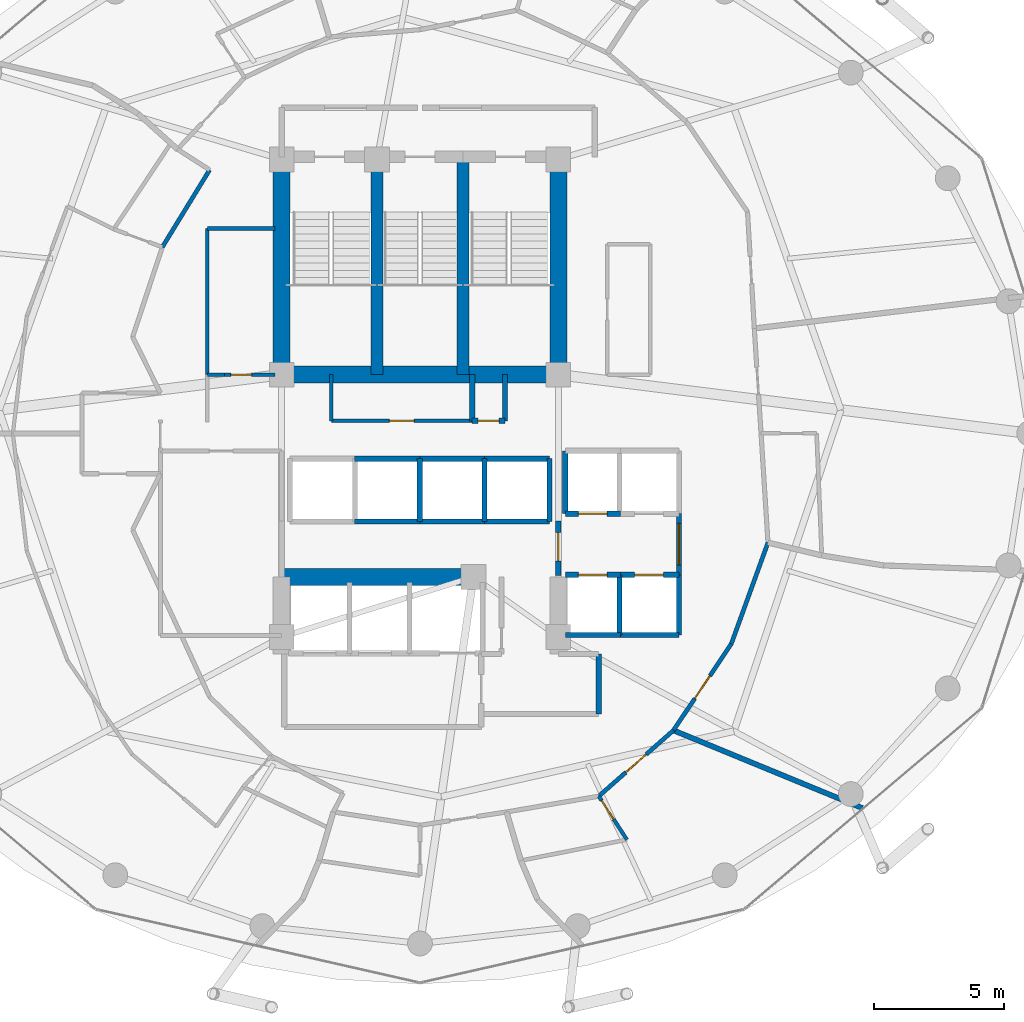
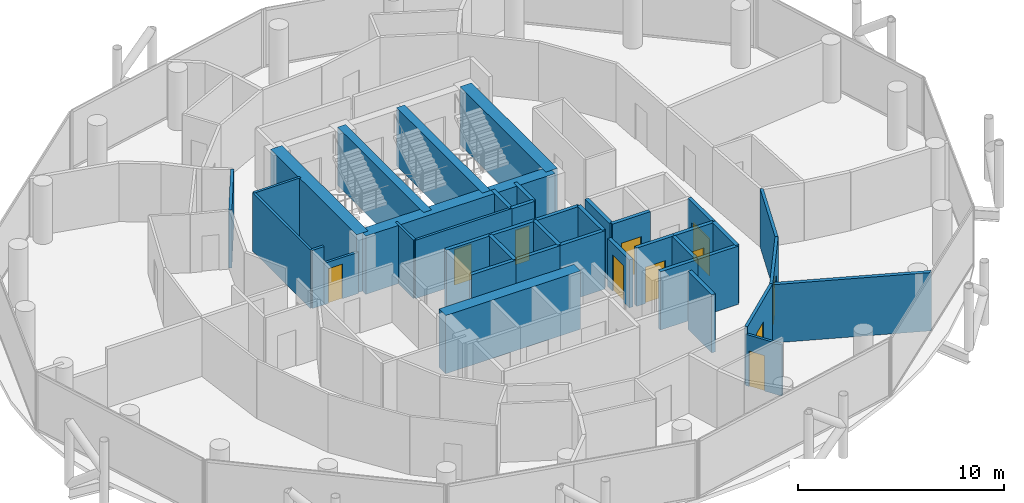
# One storey, part 23 of 26: 41 walls, 11 doors, 11 openings.
"""IFC4 building model written with IfcOpenShell, lengths in metres."""

from ifc_helpers import new_model, si_unit, direction, frame, frame_2d, origin, place, context, subcontext, project, spatial, rectangle, extrude, material, layer, layer_set, type_object, element, fill, save


model = new_model("IFC4")

# Units and contexts
model_context = context("Model", 3, precision=1e-05, world=origin(), true_north=direction((0.0, 1.0)))
body_context = subcontext(model_context, "Body", "Model", "MODEL_VIEW")
ifc_project = project(units=[si_unit("LENGTHUNIT", "METRE"), si_unit("AREAUNIT", "SQUARE_METRE"), si_unit("VOLUMEUNIT", "CUBIC_METRE"), si_unit("PLANEANGLEUNIT", "RADIAN"), si_unit("MASSUNIT", "GRAM", prefix="KILO")], contexts=[model_context])

# Site, building, storey
site_placement = place(None, origin())
site = spatial("IfcSite", under=ifc_project, at=site_placement, CompositionType="ELEMENT")
building_placement = place(site_placement, origin())
building = spatial("IfcBuilding", under=site, at=building_placement, Name="Nuhasar Tower", CompositionType="ELEMENT")
storey_placement = place(building_placement, frame((0.0, 0.0, 125.64990234375)))
storey = spatial("IfcBuildingStorey", under=building, at=storey_placement, Name="L29", CompositionType="ELEMENT", Elevation=125.64990234375)

# Walls
ifc_material_1 = material(Name="Concrete C50/60", Category="concrete")
ifc_layer_1 = layer(ifc_material_1, 0.449951171875)
ifc_layer_set_1 = layer_set([ifc_layer_1], Name="Concrete C50/60")
wall_type_1 = type_object("IfcWallType", Name="WL-CORE-450", PredefinedType="SHEAR", material=ifc_layer_set_1)
for number, where, z_axis, x_axis, name in (
    (1, (37.35009765625, 29.050048828125, 0.0), (0.0, 0.0, 1.0), (0.0, 1.0, 0.0), "L29 Stairwell Shear Wall ST01-E"),
    (2, (40.64990234375, 29.050048828125, 0.0), (0.0, 0.0, 1.0), (0.0, 1.0, 0.0), "L29 Stairwell Shear Wall ST03-E"),
):
    element("IfcWall", number, at=place(storey_placement, frame(where, z_axis=z_axis, x_axis=x_axis)), inside=storey, type_object=wall_type_1, Name=name, PredefinedType="SHEAR", context=body_context, shape_type="SweptSolid", body=[
        extrude(rectangle(XDim=8.349853515625, YDim=0.449951171875, at=frame_2d((4.1748046875, 0.0))), origin(), (0.0, 0.0, 1.0), 3.4501953125),
    ])
ifc_material_2 = material(Name="Concrete C65/80", Category="concrete")
ifc_layer_2 = layer(ifc_material_2, 0.64990234375)
ifc_layer_set_2 = layer_set([ifc_layer_2], Name="Concrete C65/80")
wall_type_2 = type_object("IfcWallType", Name="WL-CORE-650", PredefinedType="SHEAR", material=ifc_layer_set_2)
for number, where, z_axis, x_axis, name in (
    (3, (33.699951171875, 29.050048828125, 0.0), (0.0, 0.0, 1.0), (0.0, 1.0, 0.0), "L29 Core Shear Wall CW-NW CW-650"),
    (4, (44.300048828125, 29.050048828125, 0.0), (0.0, 0.0, 1.0), (0.0, 1.0, 0.0), "L29 Core Shear Wall CW-NE CW-650"),
):
    element("IfcWall", number, at=place(storey_placement, frame(where, z_axis=z_axis, x_axis=x_axis)), inside=storey, type_object=wall_type_2, Name=name, PredefinedType="SHEAR", context=body_context, shape_type="SweptSolid", body=[
        extrude(rectangle(XDim=8.349853515625, YDim=0.64990234375, at=frame_2d((4.1748046875, 0.0))), origin(), (0.0, 0.0, 1.0), 3.4501953125),
    ])
wall_1_placement = place(storey_placement, frame((33.699951171875, 29.050048828125, 0.0), z_axis=(0.0, 0.0, 1.0), x_axis=(1.0, 0.0, 0.0)))
element("IfcWall", 5, at=wall_1_placement, inside=storey, type_object=wall_type_2, Name="L29 Core Shear Wall CW-N1 CW-650", PredefinedType="SHEAR", context=body_context, shape_type="SweptSolid", body=[
    extrude(rectangle(XDim=10.60009765625, YDim=0.64990234375, at=frame_2d((5.300048828125, 0.0))), origin(), (0.0, 0.0, 1.0), 3.4501953125),
])
wall_2_placement = place(storey_placement, frame((33.699951171875, 21.300048828125, 0.0), z_axis=(0.0, 0.0, 1.0), x_axis=(1.0, 0.0, 0.0)))
element("IfcWall", 6, at=wall_2_placement, inside=storey, type_object=wall_type_2, Name="L29 Core Shear Wall CW-S1 CW-650", PredefinedType="SHEAR", context=body_context, shape_type="SweptSolid", body=[
    extrude(rectangle(XDim=7.550048828125, YDim=0.64990234375, at=frame_2d((3.77490234375, 0.0))), origin(), (0.0, 0.0, 1.0), 3.4501953125),
])

# Wall, opening, door
ifc_material_3 = material(Name="Gypsum Board", Category="gypsum")
ifc_layer_3 = layer(ifc_material_3, 0.159912109375)
ifc_layer_set_3 = layer_set([ifc_layer_3], Name="Gypsum Board")
wall_type_3 = type_object("IfcWallType", Name="WL-CORR-160", PredefinedType="PARTITIONING", material=ifc_layer_set_3)
wall_3_placement = place(storey_placement, frame((48.714111328125, 15.41796875, 0.0), z_axis=(0.0, 0.0, 1.0), x_axis=(-0.75014962781, -0.661268127083, 0.0)))
wall_3 = element("IfcWall", 7, at=wall_3_placement, inside=storey, type_object=wall_type_3, Name="L29 Interior Partition CORR-40", PredefinedType="PARTITIONING", context=body_context, shape_type="SweptSolid", body=[
    extrude(rectangle(XDim=3.8154296875, YDim=0.159912109375, at=frame_2d((1.90771484375, 0.0))), origin(), (0.0, 0.0, 1.0), 3.4501953125),
])
opening_1_placement = place(wall_3_placement, frame((1.383056640625, 0.0, 0.0)))
opening_1 = element("IfcOpeningElement", 8, at=opening_1_placement, cuts=wall_3, Name="Opening DU-01", PredefinedType="OPENING", context=body_context, shape_type="SweptSolid", body=[
    extrude(rectangle(XDim=1.050048828125, YDim=2.14990234375, at=frame_2d((0.52490234375, 1.074951171875))), frame((0.0, 0.08984375, 0.0), z_axis=(0.0, -1.0, 0.0), x_axis=(1.0, 0.0, 0.0)), (0.0, 0.0, 1.0), 0.179931640625),
])
ifc_material_4 = material(Name="Timber Oak", Category="wood")
door_type_1 = type_object("IfcDoorType", Name="DR-SUITE-FD60-1050", OperationType="NOTDEFINED", PredefinedType="DOOR", material=ifc_material_4)
door_1_placement = place(opening_1_placement, origin())
door_1 = element("IfcDoor", 9, at=door_1_placement, inside=storey, type_object=door_type_1, Name="L29 Deluxe Junior Suite 02 Entrance Door", OperationType="SINGLE_SWING_LEFT", OverallHeight=2.14990234375, OverallWidth=1.050048828125, PredefinedType="DOOR", context=body_context, shape_type="SweptSolid", body=[
    extrude(rectangle(XDim=1.050048828125, YDim=2.14990234375, at=frame_2d((0.52490234375, 1.074951171875))), frame((0.0, 0.02490234375, 0.0), z_axis=(0.0, -1.0, 0.0), x_axis=(1.0, 0.0, 0.0)), (0.0, 0.0, 1.0), 0.050048828125),
])
fill(opening_1, door_1)

wall_4_placement = place(storey_placement, frame((50.929931640625, 18.72998046875, 0.0), z_axis=(0.0, 0.0, 1.0), x_axis=(-0.556056751682, -0.831144324958, 0.0)))
wall_4 = element("IfcWall", 10, at=wall_4_placement, inside=storey, type_object=wall_type_3, Name="L29 Interior Partition CORR-42", PredefinedType="PARTITIONING", context=body_context, shape_type="SweptSolid", body=[
    extrude(rectangle(XDim=3.98486328125, YDim=0.159912109375, at=frame_2d((1.992431640625, 0.0))), origin(), (0.0, 0.0, 1.0), 3.4501953125),
])
opening_2_placement = place(wall_4_placement, frame((1.467041015625, 0.0, 0.0)))
opening_2 = element("IfcOpeningElement", 11, at=opening_2_placement, cuts=wall_4, Name="Opening DU-01", PredefinedType="OPENING", context=body_context, shape_type="SweptSolid", body=[
    extrude(rectangle(XDim=1.050048828125, YDim=2.14990234375, at=frame_2d((0.52490234375, 1.074951171875))), frame((0.0, 0.08984375, 0.0), z_axis=(0.0, -1.0, 0.0), x_axis=(1.0, 0.0, 0.0)), (0.0, 0.0, 1.0), 0.179931640625),
])
door_2_placement = place(opening_2_placement, origin())
door_2 = element("IfcDoor", 12, at=door_2_placement, inside=storey, type_object=door_type_1, Name="L29 Concierge Study Office Entrance Door", OperationType="SINGLE_SWING_RIGHT", OverallHeight=2.14990234375, OverallWidth=1.050048828125, PredefinedType="DOOR", context=body_context, shape_type="SweptSolid", body=[
    extrude(rectangle(XDim=1.050048828125, YDim=2.14990234375, at=frame_2d((0.52490234375, 1.074951171875))), frame((0.0, 0.02490234375, 0.0), z_axis=(0.0, -1.0, 0.0), x_axis=(1.0, 0.0, 0.0)), (0.0, 0.0, 1.0), 0.050048828125),
])
fill(opening_2, door_2)

# Walls
wall_5_placement = place(storey_placement, frame((50.929931640625, 18.72998046875, 0.0), z_axis=(0.0, 0.0, 1.0), x_axis=(0.34058972089, 0.940212019719, 0.0)))
element("IfcWall", 13, at=wall_5_placement, inside=storey, type_object=wall_type_3, Name="L29 Interior Partition CORR-44", PredefinedType="PARTITIONING", context=body_context, shape_type="SweptSolid", body=[
    extrude(rectangle(XDim=4.131103515625, YDim=0.159912109375, at=frame_2d((2.0654296875, 0.0))), origin(), (0.0, 0.0, 1.0), 3.4501953125),
])
wall_6_placement = place(storey_placement, frame((30.93896484375, 36.89697265625, 0.0), z_axis=(0.0, 0.0, 1.0), x_axis=(-0.522486120877, -0.852647789823, 0.0)))
element("IfcWall", 14, at=wall_6_placement, inside=storey, type_object=wall_type_3, Name="L29 Interior Partition HWEST-CORE-N-18", PredefinedType="PARTITIONING", context=body_context, shape_type="SweptSolid", body=[
    extrude(rectangle(XDim=3.468017578125, YDim=0.159912109375, at=frame_2d((1.73388671875, 0.0))), origin(), (0.0, 0.0, 1.0), 3.4501953125),
])

# Wall, opening, door
ifc_material_5 = material(Name="Concrete C45/55", Category="concrete")
ifc_layer_4 = layer(ifc_material_5, 0.199951171875)
ifc_layer_set_4 = layer_set([ifc_layer_4], Name="Concrete C45/55")
wall_type_4 = type_object("IfcWallType", Name="WL-LOBBY-200", PredefinedType="SOLIDWALL", material=ifc_layer_set_4)
wall_7_placement = place(storey_placement, frame((48.929931640625, 21.3798828125, 0.0), z_axis=(0.0, 0.0, 1.0), x_axis=(0.0, 1.0, 0.0)))
wall_7 = element("IfcWall", 15, at=wall_7_placement, inside=storey, type_object=wall_type_4, Name="L29 Interior Partition LLBM-E", PredefinedType="SOLIDWALL", context=body_context, shape_type="SweptSolid", body=[
    extrude(rectangle(XDim=2.340087890625, YDim=0.199951171875, at=frame_2d((1.169921875, 0.0))), origin(), (0.0, 0.0, 1.0), 3.4501953125),
])
opening_3_placement = place(wall_7_placement, frame((0.3701171875, 0.0, 0.0)))
opening_3 = element("IfcOpeningElement", 16, at=opening_3_placement, cuts=wall_7, Name="Opening DC-01", PredefinedType="OPENING", context=body_context, shape_type="SweptSolid", body=[
    extrude(rectangle(XDim=1.60009765625, YDim=2.199951171875, at=frame_2d((0.800048828125, 1.10009765625))), frame((0.0, 0.10986328125, 0.0), z_axis=(0.0, -1.0, 0.0), x_axis=(1.0, 0.0, 0.0)), (0.0, 0.0, 1.0), 0.219970703125),
])
ifc_material_6 = material(Name="Steel S355", Category="steel")
door_type_2 = type_object("IfcDoorType", Name="DR-CORR-FD60-1600", OperationType="DOUBLE_DOOR_SINGLE_SWING", PredefinedType="DOOR", material=ifc_material_6)
door_3_placement = place(opening_3_placement, origin())
door_3 = element("IfcDoor", 17, at=door_3_placement, inside=storey, type_object=door_type_2, Name="L29 Mid-Rise Lift Lobby East Entry", OperationType="DOUBLE_DOOR_SINGLE_SWING", OverallHeight=2.199951171875, OverallWidth=1.60009765625, PredefinedType="DOOR", context=body_context, shape_type="SweptSolid", body=[
    extrude(rectangle(XDim=1.60009765625, YDim=2.199951171875, at=frame_2d((0.800048828125, 1.10009765625))), frame((0.0, 0.02490234375, 0.0), z_axis=(0.0, -1.0, 0.0), x_axis=(1.0, 0.0, 0.0)), (0.0, 0.0, 1.0), 0.050048828125),
])
fill(opening_3, door_3)

wall_8_placement = place(storey_placement, frame((44.300048828125, 21.35009765625, 0.0), z_axis=(0.0, 0.0, 1.0), x_axis=(0.0, 1.0, 0.0)))
wall_8 = element("IfcWall", 18, at=wall_8_placement, inside=storey, type_object=wall_type_4, Name="L29 Interior Partition LLBH-E", PredefinedType="SOLIDWALL", context=body_context, shape_type="SweptSolid", body=[
    extrude(rectangle(XDim=2.099853515625, YDim=0.199951171875, at=frame_2d((1.0498046875, 0.0))), origin(), (0.0, 0.0, 1.0), 2.835205078125),
])
opening_4_placement = place(wall_8_placement, frame((0.550048828125, 0.0, 0.0)))
opening_4 = element("IfcOpeningElement", 19, at=opening_4_placement, cuts=wall_8, Name="Opening DS-02", PredefinedType="OPENING", context=body_context, shape_type="SweptSolid", body=[
    extrude(rectangle(XDim=1.10009765625, YDim=2.14990234375, at=frame_2d((0.550048828125, 1.074951171875))), frame((0.0, 0.10986328125, 0.0), z_axis=(0.0, -1.0, 0.0), x_axis=(1.0, 0.0, 0.0)), (0.0, 0.0, 1.0), 0.219970703125),
])
door_type_3 = type_object("IfcDoorType", Name="DR-FFL-FD120-1100", OperationType="NOTDEFINED", PredefinedType="DOOR", material=ifc_material_6)
door_4_placement = place(opening_4_placement, origin())
door_4 = element("IfcDoor", 20, at=door_4_placement, inside=storey, type_object=door_type_3, Name="L29 High-Rise Lobby East Door", OperationType="SINGLE_SWING_RIGHT", OverallHeight=2.14990234375, OverallWidth=1.10009765625, PredefinedType="DOOR", context=body_context, shape_type="SweptSolid", body=[
    extrude(rectangle(XDim=1.10009765625, YDim=2.14990234375, at=frame_2d((0.550048828125, 1.074951171875))), frame((0.0, 0.02490234375, 0.0), z_axis=(0.0, -1.0, 0.0), x_axis=(1.0, 0.0, 0.0)), (0.0, 0.0, 1.0), 0.050048828125),
])
fill(opening_4, door_4)

# Walls
wall_9_placement = place(storey_placement, frame((45.85009765625, 16.050048828125, 0.0), z_axis=(0.0, 0.0, 1.0), x_axis=(0.0, 1.0, 0.0)))
element("IfcWall", 21, at=wall_9_placement, inside=storey, type_object=wall_type_4, Name="L29 Interior Partition SVLV-E", PredefinedType="SOLIDWALL", context=body_context, shape_type="SweptSolid", body=[
    extrude(rectangle(XDim=2.300048828125, YDim=0.199951171875, at=frame_2d((1.14990234375, 0.0))), origin(), (0.0, 0.0, 1.0), 3.4501953125),
])
ifc_layer_5 = layer(ifc_material_5, 0.199951171875)
ifc_layer_set_5 = layer_set([ifc_layer_5], Name="Concrete C45/55")
wall_type_5 = type_object("IfcWallType", Name="WL-SHAFT-200", PredefinedType="SOLIDWALL", material=ifc_layer_set_5)
for number, where, z_axis, x_axis, name in (
    (22, (41.0, 27.280029296875, 0.0), (0.0, 0.0, 1.0), (0.0, 1.0, 0.0), "L29 Interior Partition RSRN-W"),
    (23, (42.260009765625, 27.280029296875, 0.0), (0.0, 0.0, 1.0), (0.0, 1.0, 0.0), "L29 Interior Partition RSRN-E"),
):
    element("IfcWall", number, at=place(storey_placement, frame(where, z_axis=z_axis, x_axis=x_axis)), inside=storey, type_object=wall_type_5, Name=name, PredefinedType="SOLIDWALL", context=body_context, shape_type="SweptSolid", body=[
        extrude(rectangle(XDim=1.77001953125, YDim=0.199951171875, at=frame_2d((0.885009765625, 0.0))), origin(), (0.0, 0.0, 1.0), 3.4501953125),
    ])

# Wall, opening, door
wall_10_placement = place(storey_placement, frame((41.0, 27.280029296875, 0.0), z_axis=(0.0, 0.0, 1.0), x_axis=(1.0, 0.0, 0.0)))
wall_10 = element("IfcWall", 24, at=wall_10_placement, inside=storey, type_object=wall_type_5, Name="L29 Interior Partition RSRN-S", PredefinedType="SOLIDWALL", context=body_context, shape_type="SweptSolid", body=[
    extrude(rectangle(XDim=1.260009765625, YDim=0.199951171875, at=frame_2d((0.6298828125, 0.0))), origin(), (0.0, 0.0, 1.0), 3.4501953125),
])
opening_5_placement = place(wall_10_placement, frame((0.22998046875, 0.0, 0.0)))
opening_5 = element("IfcOpeningElement", 25, at=opening_5_placement, cuts=wall_10, Name="Opening DM-01", PredefinedType="OPENING", context=body_context, shape_type="SweptSolid", body=[
    extrude(rectangle(XDim=0.800048828125, YDim=2.050048828125, at=frame_2d((0.39990234375, 1.02490234375))), frame((0.0, 0.10986328125, 0.0), z_axis=(0.0, -1.0, 0.0), x_axis=(1.0, 0.0, 0.0)), (0.0, 0.0, 1.0), 0.219970703125),
])
door_type_4 = type_object("IfcDoorType", Name="DR-RISER-FD60-800", OperationType="NOTDEFINED", PredefinedType="DOOR", material=ifc_material_6)
door_5_placement = place(opening_5_placement, origin())
door_5 = element("IfcDoor", 26, at=door_5_placement, inside=storey, type_object=door_type_4, Name="L29 North Smoke Riser Door", OperationType="SINGLE_SWING_RIGHT", OverallHeight=2.050048828125, OverallWidth=0.800048828125, PredefinedType="DOOR", context=body_context, shape_type="SweptSolid", body=[
    extrude(rectangle(XDim=0.800048828125, YDim=2.050048828125, at=frame_2d((0.39990234375, 1.02490234375))), frame((0.0, 0.02490234375, 0.0), z_axis=(0.0, -1.0, 0.0), x_axis=(1.0, 0.0, 0.0)), (0.0, 0.0, 1.0), 0.050048828125),
])
fill(opening_5, door_5)

wall_11_placement = place(storey_placement, frame((44.570068359375, 23.719970703125, 0.0), z_axis=(0.0, 0.0, 1.0), x_axis=(1.0, 0.0, 0.0)))
wall_11 = element("IfcWall", 27, at=wall_11_placement, inside=storey, type_object=wall_type_5, Name="L29 Interior Partition SHF-PL-M01-S", PredefinedType="SOLIDWALL", context=body_context, shape_type="SweptSolid", body=[
    extrude(rectangle(XDim=2.10986328125, YDim=0.199951171875, at=frame_2d((1.054931640625, 0.0))), origin(), (0.0, 0.0, 1.0), 3.4501953125),
])
opening_6_placement = place(wall_11_placement, frame((0.5048828125, 0.0, 0.0)))
opening_6 = element("IfcOpeningElement", 28, at=opening_6_placement, cuts=wall_11, Name="Opening LD-M01", PredefinedType="OPENING", context=body_context, shape_type="SweptSolid", body=[
    extrude(rectangle(XDim=1.10009765625, YDim=2.14990234375, at=frame_2d((0.550048828125, 1.074951171875))), frame((0.0, 0.10986328125, 0.0), z_axis=(0.0, -1.0, 0.0), x_axis=(1.0, 0.0, 0.0)), (0.0, 0.0, 1.0), 0.219970703125),
])
ifc_material_7 = material(Name="Stainless Steel 316L", Category="steel")
door_type_5 = type_object("IfcDoorType", Name="LD-PAX-1100", OperationType="DOUBLE_DOOR_SLIDING", PredefinedType="DOOR", material=ifc_material_7)
door_6_placement = place(opening_6_placement, origin())
door_6 = element("IfcDoor", 29, at=door_6_placement, inside=storey, type_object=door_type_5, Name="L29 Lift Landing Door PL-M01", OperationType="DOUBLE_DOOR_SLIDING", OverallHeight=2.14990234375, OverallWidth=1.10009765625, PredefinedType="DOOR", context=body_context, shape_type="SweptSolid", body=[
    extrude(rectangle(XDim=1.10009765625, YDim=2.14990234375, at=frame_2d((0.550048828125, 1.074951171875))), frame((0.0, 0.02490234375, 0.0), z_axis=(0.0, -1.0, 0.0), x_axis=(1.0, 0.0, 0.0)), (0.0, 0.0, 1.0), 0.050048828125),
])
fill(opening_6, door_6)

# Walls
wall_12_placement = place(storey_placement, frame((44.570068359375, 23.719970703125, 0.0), z_axis=(0.0, 0.0, 1.0), x_axis=(0.0, 1.0, 0.0)))
element("IfcWall", 30, at=wall_12_placement, inside=storey, type_object=wall_type_5, Name="L29 Interior Partition SHF-PL-M01-W", PredefinedType="SOLIDWALL", context=body_context, shape_type="SweptSolid", body=[
    extrude(rectangle(XDim=2.409912109375, YDim=0.199951171875, at=frame_2d((1.205078125, 0.0))), origin(), (0.0, 0.0, 1.0), 3.4501953125),
])
wall_13_placement = place(storey_placement, frame((44.570068359375, 19.070068359375, 0.0), z_axis=(0.0, 0.0, 1.0), x_axis=(1.0, 0.0, 0.0)))
element("IfcWall", 31, at=wall_13_placement, inside=storey, type_object=wall_type_5, Name="L29 Interior Partition SHF-PL-M03-S", PredefinedType="SOLIDWALL", context=body_context, shape_type="SweptSolid", body=[
    extrude(rectangle(XDim=2.10986328125, YDim=0.199951171875, at=frame_2d((1.054931640625, 0.0))), origin(), (0.0, 0.0, 1.0), 3.4501953125),
])

# Wall, opening, door
wall_14_placement = place(storey_placement, frame((44.570068359375, 21.3798828125, 0.0), z_axis=(0.0, 0.0, 1.0), x_axis=(1.0, 0.0, 0.0)))
wall_14 = element("IfcWall", 32, at=wall_14_placement, inside=storey, type_object=wall_type_5, Name="L29 Interior Partition SHF-PL-M03-N", PredefinedType="SOLIDWALL", context=body_context, shape_type="SweptSolid", body=[
    extrude(rectangle(XDim=2.10986328125, YDim=0.199951171875, at=frame_2d((1.054931640625, 0.0))), origin(), (0.0, 0.0, 1.0), 3.4501953125),
])
opening_7_placement = place(wall_14_placement, frame((0.5048828125, 0.0, 0.0)))
opening_7 = element("IfcOpeningElement", 33, at=opening_7_placement, cuts=wall_14, Name="Opening LD-M03", PredefinedType="OPENING", context=body_context, shape_type="SweptSolid", body=[
    extrude(rectangle(XDim=1.10009765625, YDim=2.14990234375, at=frame_2d((0.550048828125, 1.074951171875))), frame((0.0, 0.10986328125, 0.0), z_axis=(0.0, -1.0, 0.0), x_axis=(1.0, 0.0, 0.0)), (0.0, 0.0, 1.0), 0.219970703125),
])
door_7_placement = place(opening_7_placement, origin())
door_7 = element("IfcDoor", 34, at=door_7_placement, inside=storey, type_object=door_type_5, Name="L29 Lift Landing Door PL-M03", OperationType="DOUBLE_DOOR_SLIDING", OverallHeight=2.14990234375, OverallWidth=1.10009765625, PredefinedType="DOOR", context=body_context, shape_type="SweptSolid", body=[
    extrude(rectangle(XDim=1.10009765625, YDim=2.14990234375, at=frame_2d((0.550048828125, 1.074951171875))), frame((0.0, 0.02490234375, 0.0), z_axis=(0.0, -1.0, 0.0), x_axis=(1.0, 0.0, 0.0)), (0.0, 0.0, 1.0), 0.050048828125),
])
fill(opening_7, door_7)

# Walls
for number, where, z_axis, x_axis, name in (
    (35, (46.64990234375, 19.070068359375, 0.0), (0.0, 0.0, 1.0), (0.0, 1.0, 0.0), "L29 Interior Partition SHF-PL-M03-E"),
    (36, (46.6201171875, 19.070068359375, 0.0), (0.0, 0.0, 1.0), (1.0, 0.0, 0.0), "L29 Interior Partition SHF-PL-M04-S"),
):
    element("IfcWall", number, at=place(storey_placement, frame(where, z_axis=z_axis, x_axis=x_axis)), inside=storey, type_object=wall_type_5, Name=name, PredefinedType="SOLIDWALL", context=body_context, shape_type="SweptSolid", body=[
        extrude(rectangle(XDim=2.309814453125, YDim=0.199951171875, at=frame_2d((1.15478515625, 0.0))), origin(), (0.0, 0.0, 1.0), 3.4501953125),
    ])

# Wall, opening, door
wall_15_placement = place(storey_placement, frame((46.6201171875, 21.3798828125, 0.0), z_axis=(0.0, 0.0, 1.0), x_axis=(1.0, 0.0, 0.0)))
wall_15 = element("IfcWall", 37, at=wall_15_placement, inside=storey, type_object=wall_type_5, Name="L29 Interior Partition SHF-PL-M04-N", PredefinedType="SOLIDWALL", context=body_context, shape_type="SweptSolid", body=[
    extrude(rectangle(XDim=2.309814453125, YDim=0.199951171875, at=frame_2d((1.15478515625, 0.0))), origin(), (0.0, 0.0, 1.0), 3.4501953125),
])
opening_8_placement = place(wall_15_placement, frame((0.60498046875, 0.0, 0.0)))
opening_8 = element("IfcOpeningElement", 38, at=opening_8_placement, cuts=wall_15, Name="Opening LD-M04", PredefinedType="OPENING", context=body_context, shape_type="SweptSolid", body=[
    extrude(rectangle(XDim=1.10009765625, YDim=2.14990234375, at=frame_2d((0.550048828125, 1.074951171875))), frame((0.0, 0.10986328125, 0.0), z_axis=(0.0, -1.0, 0.0), x_axis=(1.0, 0.0, 0.0)), (0.0, 0.0, 1.0), 0.219970703125),
])
door_8_placement = place(opening_8_placement, origin())
door_8 = element("IfcDoor", 39, at=door_8_placement, inside=storey, type_object=door_type_5, Name="L29 Lift Landing Door PL-M04", OperationType="DOUBLE_DOOR_SLIDING", OverallHeight=2.14990234375, OverallWidth=1.10009765625, PredefinedType="DOOR", context=body_context, shape_type="SweptSolid", body=[
    extrude(rectangle(XDim=1.10009765625, YDim=2.14990234375, at=frame_2d((0.550048828125, 1.074951171875))), frame((0.0, 0.02490234375, 0.0), z_axis=(0.0, -1.0, 0.0), x_axis=(1.0, 0.0, 0.0)), (0.0, 0.0, 1.0), 0.050048828125),
])
fill(opening_8, door_8)

# Walls
wall_16_placement = place(storey_placement, frame((48.929931640625, 19.070068359375, 0.0), z_axis=(0.0, 0.0, 1.0), x_axis=(0.0, 1.0, 0.0)))
element("IfcWall", 40, at=wall_16_placement, inside=storey, type_object=wall_type_5, Name="L29 Interior Partition SHF-PL-M04-E", PredefinedType="SOLIDWALL", context=body_context, shape_type="SweptSolid", body=[
    extrude(rectangle(XDim=2.309814453125, YDim=0.199951171875, at=frame_2d((1.15478515625, 0.0))), origin(), (0.0, 0.0, 1.0), 3.4501953125),
])
for number, where, z_axis, x_axis, name in (
    (41, (36.5, 23.419921875, 0.0), (0.0, 0.0, 1.0), (1.0, 0.0, 0.0), "L29 Interior Partition SHF-PL-H02-S"),
    (42, (36.5, 25.830078125, 0.0), (0.0, 0.0, 1.0), (1.0, 0.0, 0.0), "L29 Interior Partition SHF-PL-H02-N"),
):
    element("IfcWall", number, at=place(storey_placement, frame(where, z_axis=z_axis, x_axis=x_axis)), inside=storey, type_object=wall_type_5, Name=name, PredefinedType="SOLIDWALL", context=body_context, shape_type="SweptSolid", body=[
        extrude(rectangle(XDim=2.5, YDim=0.199951171875, at=frame_2d((1.25, 0.0))), origin(), (0.0, 0.0, 1.0), 3.4501953125),
    ])
wall_17_placement = place(storey_placement, frame((38.989990234375, 23.419921875, 0.0), z_axis=(0.0, 0.0, 1.0), x_axis=(0.0, 1.0, 0.0)))
element("IfcWall", 43, at=wall_17_placement, inside=storey, type_object=wall_type_5, Name="L29 Interior Partition SHF-PL-H02-E", PredefinedType="SOLIDWALL", context=body_context, shape_type="SweptSolid", body=[
    extrude(rectangle(XDim=2.41015625, YDim=0.199951171875, at=frame_2d((1.205078125, 0.0))), origin(), (0.0, 0.0, 1.0), 3.4501953125),
])
for number, where, z_axis, x_axis, name in (
    (44, (38.97998046875, 23.419921875, 0.0), (0.0, 0.0, 1.0), (1.0, 0.0, 0.0), "L29 Interior Partition SHF-PL-H03-S"),
    (45, (38.97998046875, 25.830078125, 0.0), (0.0, 0.0, 1.0), (1.0, 0.0, 0.0), "L29 Interior Partition SHF-PL-H03-N"),
):
    element("IfcWall", number, at=place(storey_placement, frame(where, z_axis=z_axis, x_axis=x_axis)), inside=storey, type_object=wall_type_5, Name=name, PredefinedType="SOLIDWALL", context=body_context, shape_type="SweptSolid", body=[
        extrude(rectangle(XDim=2.5, YDim=0.199951171875, at=frame_2d((1.25, 0.0))), origin(), (0.0, 0.0, 1.0), 3.4501953125),
    ])
wall_18_placement = place(storey_placement, frame((41.469970703125, 23.419921875, 0.0), z_axis=(0.0, 0.0, 1.0), x_axis=(0.0, 1.0, 0.0)))
element("IfcWall", 46, at=wall_18_placement, inside=storey, type_object=wall_type_5, Name="L29 Interior Partition SHF-PL-H03-E", PredefinedType="SOLIDWALL", context=body_context, shape_type="SweptSolid", body=[
    extrude(rectangle(XDim=2.41015625, YDim=0.199951171875, at=frame_2d((1.205078125, 0.0))), origin(), (0.0, 0.0, 1.0), 3.4501953125),
])
for number, where, z_axis, x_axis, name in (
    (47, (41.4599609375, 23.419921875, 0.0), (0.0, 0.0, 1.0), (1.0, 0.0, 0.0), "L29 Interior Partition SHF-PL-H04-S"),
    (48, (41.4599609375, 25.830078125, 0.0), (0.0, 0.0, 1.0), (1.0, 0.0, 0.0), "L29 Interior Partition SHF-PL-H04-N"),
):
    element("IfcWall", number, at=place(storey_placement, frame(where, z_axis=z_axis, x_axis=x_axis)), inside=storey, type_object=wall_type_5, Name=name, PredefinedType="SOLIDWALL", context=body_context, shape_type="SweptSolid", body=[
        extrude(rectangle(XDim=2.5, YDim=0.199951171875, at=frame_2d((1.25, 0.0))), origin(), (0.0, 0.0, 1.0), 3.4501953125),
    ])
wall_19_placement = place(storey_placement, frame((43.9599609375, 23.419921875, 0.0), z_axis=(0.0, 0.0, 1.0), x_axis=(0.0, 1.0, 0.0)))
element("IfcWall", 49, at=wall_19_placement, inside=storey, type_object=wall_type_5, Name="L29 Interior Partition SHF-PL-H04-E", PredefinedType="SOLIDWALL", context=body_context, shape_type="SweptSolid", body=[
    extrude(rectangle(XDim=2.41015625, YDim=0.199951171875, at=frame_2d((1.205078125, 0.0))), origin(), (0.0, 0.0, 1.0), 3.4501953125),
])
ifc_material_8 = material(Name="Concrete C40/50 precast", Category="concrete")
ifc_layer_6 = layer(ifc_material_8, 0.199951171875)
ifc_layer_set_6 = layer_set([ifc_layer_6], Name="Concrete C40/50 precast")
wall_type_6 = type_object("IfcWallType", Name="WL-UNIT-200", PredefinedType="PARTITIONING", material=ifc_layer_set_6)
wall_20_placement = place(storey_placement, frame((48.714111328125, 15.41796875, 0.0), z_axis=(0.0, 0.0, 1.0), x_axis=(0.924811697955, -0.380425187555, 0.0)))
element("IfcWall", 50, at=wall_20_placement, inside=storey, type_object=wall_type_6, Name="L29 Interior Partition HRAD-42", PredefinedType="PARTITIONING", context=body_context, shape_type="SweptSolid", body=[
    extrude(rectangle(XDim=7.830810546875, YDim=0.199951171875, at=frame_2d((3.91552734375, 0.0))), origin(), (0.0, 0.0, 1.0), 3.4501953125),
])
ifc_layer_7 = layer(ifc_material_8, 0.139892578125)
ifc_layer_set_7 = layer_set([ifc_layer_7], Name="Concrete C40/50 precast")
wall_type_7 = type_object("IfcWallType", Name="WL-WET-140", PredefinedType="PARTITIONING", material=ifc_layer_set_7)
wall_21_placement = place(storey_placement, frame((35.60009765625, 27.280029296875, 0.0), z_axis=(0.0, 0.0, 1.0), x_axis=(0.0, 1.0, 0.0)))
element("IfcWall", 51, at=wall_21_placement, inside=storey, type_object=wall_type_7, Name="L29 Interior Partition CSVC-W", PredefinedType="PARTITIONING", context=body_context, shape_type="SweptSolid", body=[
    extrude(rectangle(XDim=1.77001953125, YDim=0.139892578125, at=frame_2d((0.885009765625, 0.0))), origin(), (0.0, 0.0, 1.0), 3.4501953125),
])

# Wall, opening, door
wall_22_placement = place(storey_placement, frame((35.60009765625, 27.280029296875, 0.0), z_axis=(0.0, 0.0, 1.0), x_axis=(1.0, 0.0, 0.0)))
wall_22 = element("IfcWall", 52, at=wall_22_placement, inside=storey, type_object=wall_type_7, Name="L29 Interior Partition CSVC-S", PredefinedType="PARTITIONING", context=body_context, shape_type="SweptSolid", body=[
    extrude(rectangle(XDim=5.39990234375, YDim=0.139892578125, at=frame_2d((2.699951171875, 0.0))), origin(), (0.0, 0.0, 1.0), 3.4501953125),
])
opening_9_placement = place(wall_22_placement, frame((2.22509765625, 0.0, 0.0)))
opening_9 = element("IfcOpeningElement", 53, at=opening_9_placement, cuts=wall_22, Name="Opening DA-01", PredefinedType="OPENING", context=body_context, shape_type="SweptSolid", body=[
    extrude(rectangle(XDim=0.949951171875, YDim=2.10009765625, at=frame_2d((0.47509765625, 1.050048828125))), frame((0.0, 0.080078125, 0.0), z_axis=(0.0, -1.0, 0.0), x_axis=(1.0, 0.0, 0.0)), (0.0, 0.0, 1.0), 0.159912109375),
])
door_type_6 = type_object("IfcDoorType", Name="DR-ACCWC-950", OperationType="NOTDEFINED", PredefinedType="DOOR", material=ifc_material_4)
door_9_placement = place(opening_9_placement, origin())
door_9 = element("IfcDoor", 54, at=door_9_placement, inside=storey, type_object=door_type_6, Name="L29 Core Accessible Restroom Door", OperationType="SINGLE_SWING_LEFT", OverallHeight=2.10009765625, OverallWidth=0.949951171875, PredefinedType="DOOR", context=body_context, shape_type="SweptSolid", body=[
    extrude(rectangle(XDim=0.949951171875, YDim=2.10009765625, at=frame_2d((0.47509765625, 1.050048828125))), frame((0.0, 0.02490234375, 0.0), z_axis=(0.0, -1.0, 0.0), x_axis=(1.0, 0.0, 0.0)), (0.0, 0.0, 1.0), 0.050048828125),
])
fill(opening_9, door_9)

# Wall
wall_23_placement = place(storey_placement, frame((30.85009765625, 29.050048828125, 0.0), z_axis=(0.0, 0.0, 1.0), x_axis=(1.0, 0.0, 0.0)))
element("IfcWall", 55, at=wall_23_placement, inside=storey, type_object=wall_type_7, Name="L29 Interior Partition K3-NW-S", PredefinedType="PARTITIONING", context=body_context, shape_type="SweptSolid", body=[
    extrude(rectangle(XDim=0.66796875, YDim=0.139892578125, at=frame_2d((0.333984375, 0.0))), origin(), (0.0, 0.0, 1.0), 3.4501953125),
])

# Wall, opening, door
wall_24_placement = place(storey_placement, frame((31.51806640625, 29.050048828125, 0.0), z_axis=(0.0, 0.0, 1.0), x_axis=(1.0, 0.0, 0.0)))
wall_24 = element("IfcWall", 56, at=wall_24_placement, inside=storey, type_object=wall_type_7, Name="L29 Interior Partition K3-NW-S", PredefinedType="PARTITIONING", context=body_context, shape_type="SweptSolid", body=[
    extrude(rectangle(XDim=1.931884765625, YDim=0.139892578125, at=frame_2d((0.9658203125, 0.0))), origin(), (0.0, 0.0, 1.0), 2.440185546875),
])
opening_10_placement = place(wall_24_placement, frame((0.23193359375, 0.0, 0.0)))
opening_10 = element("IfcOpeningElement", 57, at=opening_10_placement, cuts=wall_24, Name="Opening DM-01", PredefinedType="OPENING", context=body_context, shape_type="SweptSolid", body=[
    extrude(rectangle(XDim=0.800048828125, YDim=2.050048828125, at=frame_2d((0.39990234375, 1.02490234375))), frame((0.0, 0.080078125, 0.0), z_axis=(0.0, -1.0, 0.0), x_axis=(1.0, 0.0, 0.0)), (0.0, 0.0, 1.0), 0.159912109375),
])
door_10_placement = place(opening_10_placement, origin())
door_10 = element("IfcDoor", 58, at=door_10_placement, inside=storey, type_object=door_type_4, Name="L29 NW Electrical Room Door", OperationType="SINGLE_SWING_LEFT", OverallHeight=2.050048828125, OverallWidth=0.800048828125, PredefinedType="DOOR", context=body_context, shape_type="SweptSolid", body=[
    extrude(rectangle(XDim=0.800048828125, YDim=2.050048828125, at=frame_2d((0.39990234375, 1.02490234375))), frame((0.0, 0.02490234375, 0.0), z_axis=(0.0, -1.0, 0.0), x_axis=(1.0, 0.0, 0.0)), (0.0, 0.0, 1.0), 0.050048828125),
])
fill(opening_10, door_10)

# Walls
wall_25_placement = place(storey_placement, frame((30.85009765625, 34.64990234375, 0.0), z_axis=(0.0, 0.0, 1.0), x_axis=(1.0, 0.0, 0.0)))
element("IfcWall", 59, at=wall_25_placement, inside=storey, type_object=wall_type_7, Name="L29 Interior Partition K3-NW-N", PredefinedType="PARTITIONING", context=body_context, shape_type="SweptSolid", body=[
    extrude(rectangle(XDim=2.599853515625, YDim=0.139892578125, at=frame_2d((1.2998046875, 0.0))), origin(), (0.0, 0.0, 1.0), 3.4501953125),
])
wall_26_placement = place(storey_placement, frame((30.85009765625, 29.050048828125, 0.0), z_axis=(0.0, 0.0, 1.0), x_axis=(0.0, 1.0, 0.0)))
element("IfcWall", 60, at=wall_26_placement, inside=storey, type_object=wall_type_7, Name="L29 Interior Partition K3-NW-W", PredefinedType="PARTITIONING", context=body_context, shape_type="SweptSolid", body=[
    extrude(rectangle(XDim=5.599853515625, YDim=0.139892578125, at=frame_2d((2.7998046875, 0.0))), origin(), (0.0, 0.0, 1.0), 3.4501953125),
])

# Wall, opening, door
wall_27_placement = place(storey_placement, frame((45.85205078125, 12.89501953125, 0.0), z_axis=(0.0, 0.0, 1.0), x_axis=(0.543082802876, -0.839679146591, 0.0)))
wall_27 = element("IfcWall", 61, at=wall_27_placement, inside=storey, type_object=wall_type_7, Name="L29 Interior Partition HBW-02", PredefinedType="PARTITIONING", context=body_context, shape_type="SweptSolid", body=[
    extrude(rectangle(XDim=1.98291015625, YDim=0.139892578125, at=frame_2d((0.991455078125, 0.0))), origin(), (0.0, 0.0, 1.0), 3.0400390625),
])
opening_11_placement = place(wall_27_placement, frame((0.199951171875, 0.0, 0.0)))
opening_11 = element("IfcOpeningElement", 62, at=opening_11_placement, cuts=wall_27, Name="Opening DB-01", PredefinedType="OPENING", context=body_context, shape_type="SweptSolid", body=[
    extrude(rectangle(XDim=0.85009765625, YDim=2.10009765625, at=frame_2d((0.425048828125, 1.050048828125))), frame((0.0, 0.080078125, 0.0), z_axis=(0.0, -1.0, 0.0), x_axis=(1.0, 0.0, 0.0)), (0.0, 0.0, 1.0), 0.159912109375),
])
door_type_7 = type_object("IfcDoorType", Name="DR-BATH-850", OperationType="NOTDEFINED", PredefinedType="DOOR", material=ifc_material_4)
door_11_placement = place(opening_11_placement, origin())
door_11 = element("IfcDoor", 63, at=door_11_placement, inside=storey, type_object=door_type_7, Name="L29 Deluxe Junior Suite 02 En-Suite Door", OperationType="SINGLE_SWING_LEFT", OverallHeight=2.10009765625, OverallWidth=0.85009765625, PredefinedType="DOOR", context=body_context, shape_type="SweptSolid", body=[
    extrude(rectangle(XDim=0.85009765625, YDim=2.10009765625, at=frame_2d((0.425048828125, 1.050048828125))), frame((0.0, 0.02490234375, 0.0), z_axis=(0.0, -1.0, 0.0), x_axis=(1.0, 0.0, 0.0)), (0.0, 0.0, 1.0), 0.050048828125),
])
fill(opening_11, door_11)

save(model, "model.ifc")
